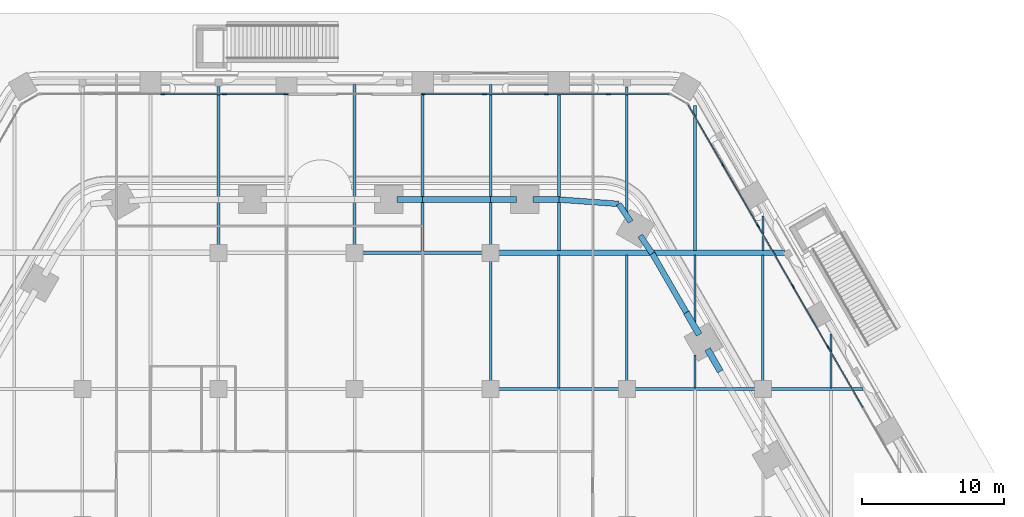
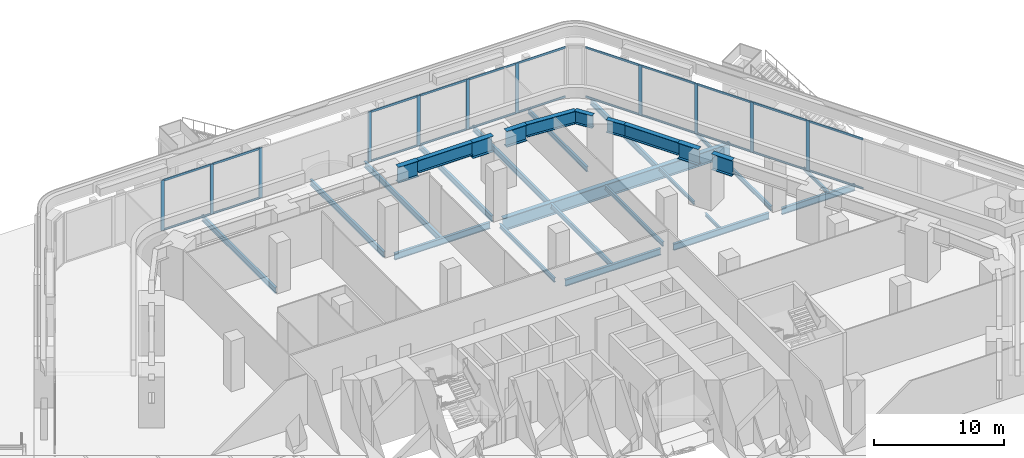
# One storey, part 9 of 34: 33 members, 30 beams, 3 elements without a shape of their own.
"""IFC4 building model written with IfcOpenShell, lengths in metres."""

from ifc_helpers import new_model, si_unit, direction, frame, origin, origin_2d, place, context, subcontext, project, spatial, rectangle, i_section, extrude, material, material_profile, profile_set, type_object, element, aggregate, save


model = new_model("IFC4")

# Units and contexts
model_context = context("Model", 3, precision=1e-05, world=origin(), true_north=direction((0.0, 1.0)))
body_context = subcontext(model_context, "Body", "Model", "MODEL_VIEW")
ifc_project = project(units=[si_unit("LENGTHUNIT", "METRE"), si_unit("AREAUNIT", "SQUARE_METRE"), si_unit("VOLUMEUNIT", "CUBIC_METRE"), si_unit("PLANEANGLEUNIT", "RADIAN"), si_unit("MASSUNIT", "GRAM", prefix="KILO")], contexts=[model_context])

# Site, building, storey
site_placement = place(None, origin())
site = spatial("IfcSite", under=ifc_project, at=site_placement, CompositionType="ELEMENT")
building_placement = place(site_placement, origin())
building = spatial("IfcBuilding", under=site, at=building_placement, Name="Kolab Exchange Tower", CompositionType="ELEMENT")
storey_placement = place(building_placement, frame((0.0, 0.0, 12.39990234375)))
storey = spatial("IfcBuildingStorey", under=building, at=storey_placement, Name="L02", CompositionType="ELEMENT", Elevation=12.39990234375)

# Beams
ifc_material_1 = material(Name="Steel S355", Category="steel")
ifc_material_profile_1 = material_profile(ifc_material_1, i_section(OverallWidth=0.1650390625, OverallDepth=0.31005859375, WebThickness=0.005859375, FlangeThickness=0.009765625, at=origin_2d()), Name="W310X39")
ifc_profile_set_1 = profile_set([ifc_material_profile_1], Name="Steel S355")
beam_type_1 = type_object("IfcBeamType", Name="FLOOR BEAM W310X39", PredefinedType="BEAM", material=ifc_profile_set_1)
beam_1_placement = place(storey_placement, frame((24.0, 19.27392578125, -0.454833984375), z_axis=(0.0, 1.0, 0.0), x_axis=(-1.0, 0.0, 0.0)))
element("IfcBeam", 1, at=beam_1_placement, inside=storey, type_object=beam_type_1, Name="beam/L02/fr/101", PredefinedType="BEAM", context=body_context, shape_type="SweptSolid", body=[
    extrude(i_section(OverallWidth=0.1650390625, OverallDepth=0.31005859375, WebThickness=0.005859375, FlangeThickness=0.009765625, at=origin_2d()), origin(), (0.0, 0.0, 1.0), 2.3076171875),
])
beam_2_placement = place(storey_placement, frame((24.0, 23.284912109375, -0.454833984375), z_axis=(0.0, 1.0, 0.0), x_axis=(-1.0, 0.0, 0.0)))
element("IfcBeam", 2, at=beam_2_placement, inside=storey, type_object=beam_type_1, Name="beam/L02/fr/102", PredefinedType="BEAM", context=body_context, shape_type="SweptSolid", body=[
    extrude(i_section(OverallWidth=0.1650390625, OverallDepth=0.31005859375, WebThickness=0.005859375, FlangeThickness=0.009765625, at=origin_2d()), origin(), (0.0, 0.0, 1.0), 5.35498046875),
])
beam_3_placement = place(storey_placement, frame((28.800048828125, 28.9599609375, -0.454833984375), z_axis=(0.0, 1.0, 0.0), x_axis=(-1.0, 0.0, 0.0)))
element("IfcBeam", 3, at=beam_3_placement, inside=storey, type_object=beam_type_1, Name="beam/L02/fr/112", PredefinedType="BEAM", context=body_context, shape_type="SweptSolid", body=[
    extrude(i_section(OverallWidth=0.1650390625, OverallDepth=0.31005859375, WebThickness=0.005859375, FlangeThickness=0.009765625, at=origin_2d()), origin(), (0.0, 0.0, 1.0), 2.435546875),
])
beam_4_placement = place(storey_placement, frame((33.60009765625, 19.27392578125, -0.454833984375), z_axis=(0.0, 1.0, 0.0), x_axis=(-1.0, 0.0, 0.0)))
element("IfcBeam", 4, at=beam_4_placement, inside=storey, type_object=beam_type_1, Name="beam/L02/fr/119", PredefinedType="BEAM", context=body_context, shape_type="SweptSolid", body=[
    extrude(i_section(OverallWidth=0.1650390625, OverallDepth=0.31005859375, WebThickness=0.005859375, FlangeThickness=0.009765625, at=origin_2d()), origin(), (0.0, 0.0, 1.0), 3.8076171875),
])
ifc_material_profile_2 = material_profile(ifc_material_1, i_section(OverallWidth=0.177978515625, OverallDepth=0.406982421875, WebThickness=0.0078125, FlangeThickness=0.0126953125, at=origin_2d()), Name="W410X60")
ifc_profile_set_2 = profile_set([ifc_material_profile_2], Name="Steel S355")
beam_type_2 = type_object("IfcBeamType", Name="FLOOR BEAM W410X60", PredefinedType="BEAM", material=ifc_profile_set_2)
beam_5_placement = place(storey_placement, frame((9.60009765625, 19.760009765625, -0.50341796875), z_axis=(0.0, 1.0, 0.0), x_axis=(-1.0, 0.0, 0.0)))
element("IfcBeam", 5, at=beam_5_placement, inside=storey, type_object=beam_type_2, Name="beam/L02/fr/079", PredefinedType="BEAM", context=body_context, shape_type="SweptSolid", body=[
    extrude(i_section(OverallWidth=0.177978515625, OverallDepth=0.406982421875, WebThickness=0.0078125, FlangeThickness=0.0126953125, at=origin_2d()), origin(), (0.0, 0.0, 1.0), 8.47998046875),
])
for number, where, z_axis, x_axis, name in (
    (6, (19.199951171875, 19.760009765625, -0.50341796875), (0.0, 1.0, 0.0), (-1.0, 0.0, 0.0), "beam/L02/fr/093"),
    (7, (28.800048828125, 19.760009765625, -0.50341796875), (0.0, 1.0, 0.0), (-1.0, 0.0, 0.0), "beam/L02/fr/111"),
):
    element("IfcBeam", number, at=place(storey_placement, frame(where, z_axis=z_axis, x_axis=x_axis)), inside=storey, type_object=beam_type_2, Name=name, PredefinedType="BEAM", context=body_context, shape_type="SweptSolid", body=[
        extrude(i_section(OverallWidth=0.177978515625, OverallDepth=0.406982421875, WebThickness=0.0078125, FlangeThickness=0.0126953125, at=origin_2d()), origin(), (0.0, 0.0, 1.0), 8.8798828125),
    ])
ifc_material_profile_3 = material_profile(ifc_material_1, i_section(OverallWidth=0.18994140625, OverallDepth=0.45703125, WebThickness=0.009033203125, FlangeThickness=0.014404296875, at=origin_2d()), Name="W460X74")
ifc_profile_set_3 = profile_set([ifc_material_profile_3], Name="Steel S355")
beam_type_3 = type_object("IfcBeamType", Name="FLOOR BEAM W460X74", PredefinedType="BEAM", material=ifc_profile_set_3)
beam_6_placement = place(storey_placement, frame((14.39990234375, 19.27392578125, -0.5283203125), z_axis=(0.0, 1.0, 0.0), x_axis=(-1.0, 0.0, 0.0)))
element("IfcBeam", 8, at=beam_6_placement, inside=storey, type_object=beam_type_3, Name="beam/L02/fr/085", PredefinedType="BEAM", context=body_context, shape_type="SweptSolid", body=[
    extrude(i_section(OverallWidth=0.18994140625, OverallDepth=0.45703125, WebThickness=0.009033203125, FlangeThickness=0.014404296875, at=origin_2d()), origin(), (0.0, 0.0, 1.0), 9.365966796875),
])
beam_7_placement = place(storey_placement, frame((19.199951171875, 31.408447265625, -0.5283203125), z_axis=(0.0, 1.0, 0.0), x_axis=(-1.0, 0.0, 0.0)))
element("IfcBeam", 9, at=beam_7_placement, inside=storey, type_object=beam_type_3, Name="beam/L02/fr/094", PredefinedType="BEAM", context=body_context, shape_type="SweptSolid", body=[
    extrude(i_section(OverallWidth=0.18994140625, OverallDepth=0.45703125, WebThickness=0.009033203125, FlangeThickness=0.014404296875, at=origin_2d()), origin(), (0.0, 0.0, 1.0), 9.08984375),
])
ifc_material_profile_4 = material_profile(ifc_material_1, i_section(OverallWidth=0.208984375, OverallDepth=0.532958984375, WebThickness=0.01025390625, FlangeThickness=0.015625, at=origin_2d()), Name="W530X92")
ifc_profile_set_4 = profile_set([ifc_material_profile_4], Name="Steel S355")
beam_type_4 = type_object("IfcBeamType", Name="FLOOR BEAM W530X92", PredefinedType="BEAM", material=ifc_profile_set_4)
for number, where, z_axis, x_axis, name in (
    (10, (-9.60009765625, 29.360107421875, -0.56640625), (0.0, 1.0, 0.0), (-1.0, 0.0, 0.0), "beam/L02/fr/052"),
    (11, (0.0, 29.360107421875, -0.56640625), (0.0, 1.0, 0.0), (-1.0, 0.0, 0.0), "beam/L02/fr/066"),
):
    element("IfcBeam", number, at=place(storey_placement, frame(where, z_axis=z_axis, x_axis=x_axis)), inside=storey, type_object=beam_type_4, Name=name, PredefinedType="BEAM", context=body_context, shape_type="SweptSolid", body=[
        extrude(i_section(OverallWidth=0.208984375, OverallDepth=0.532958984375, WebThickness=0.01025390625, FlangeThickness=0.015625, at=origin_2d()), origin(), (0.0, 0.0, 1.0), 11.299072265625),
    ])
beam_8_placement = place(storey_placement, frame((4.800048828125, 28.8740234375, -0.56640625), z_axis=(0.0, 1.0, 0.0), x_axis=(-1.0, 0.0, 0.0)))
element("IfcBeam", 12, at=beam_8_placement, inside=storey, type_object=beam_type_4, Name="beam/L02/fr/073", PredefinedType="BEAM", context=body_context, shape_type="SweptSolid", body=[
    extrude(i_section(OverallWidth=0.208984375, OverallDepth=0.532958984375, WebThickness=0.01025390625, FlangeThickness=0.015625, at=origin_2d()), origin(), (0.0, 0.0, 1.0), 11.78515625),
])
beam_9_placement = place(storey_placement, frame((9.60009765625, 29.360107421875, -0.56640625), z_axis=(0.0, 1.0, 0.0), x_axis=(-1.0, 0.0, 0.0)))
element("IfcBeam", 13, at=beam_9_placement, inside=storey, type_object=beam_type_4, Name="beam/L02/fr/080", PredefinedType="BEAM", context=body_context, shape_type="SweptSolid", body=[
    extrude(i_section(OverallWidth=0.208984375, OverallDepth=0.532958984375, WebThickness=0.01025390625, FlangeThickness=0.015625, at=origin_2d()), origin(), (0.0, 0.0, 1.0), 11.299072265625),
])
beam_10_placement = place(storey_placement, frame((14.39990234375, 28.9599609375, -0.56640625), z_axis=(0.0, 1.0, 0.0), x_axis=(-1.0, 0.0, 0.0)))
element("IfcBeam", 14, at=beam_10_placement, inside=storey, type_object=beam_type_4, Name="beam/L02/fr/086", PredefinedType="BEAM", context=body_context, shape_type="SweptSolid", body=[
    extrude(i_section(OverallWidth=0.208984375, OverallDepth=0.532958984375, WebThickness=0.01025390625, FlangeThickness=0.015625, at=origin_2d()), origin(), (0.0, 0.0, 1.0), 11.69921875),
])
beam_11_placement = place(storey_placement, frame((24.0, 28.9599609375, -0.56640625), z_axis=(0.0, 1.0, 0.0), x_axis=(-1.0, 0.0, 0.0)))
element("IfcBeam", 15, at=beam_11_placement, inside=storey, type_object=beam_type_4, Name="beam/L02/fr/103", PredefinedType="BEAM", context=body_context, shape_type="SweptSolid", body=[
    extrude(i_section(OverallWidth=0.208984375, OverallDepth=0.532958984375, WebThickness=0.01025390625, FlangeThickness=0.015625, at=origin_2d()), origin(), (0.0, 0.0, 1.0), 10.2451171875),
])
ifc_material_profile_5 = material_profile(ifc_material_1, i_section(OverallWidth=0.39990234375, OverallDepth=1.199951171875, WebThickness=0.02490234375, FlangeThickness=0.0400390625, at=origin_2d()), Name="PG1200X400")
ifc_profile_set_5 = profile_set([ifc_material_profile_5], Name="Steel S355")
beam_type_5 = type_object("IfcBeamType", Name="FLOOR GIRDER PG1200X400", PredefinedType="BEAM", material=ifc_profile_set_5)
beam_12_placement = place(storey_placement, frame((10.159912109375, 28.800048828125, -0.89990234375), z_axis=(1.0, 0.0, 0.0), x_axis=(0.0, 1.0, 0.0)))
element("IfcBeam", 16, at=beam_12_placement, inside=storey, type_object=beam_type_5, Name="beam/L02/gd/030", PredefinedType="BEAM", context=body_context, shape_type="SweptSolid", body=[
    extrude(i_section(OverallWidth=0.39990234375, OverallDepth=1.199951171875, WebThickness=0.02490234375, FlangeThickness=0.0400390625, at=origin_2d()), origin(), (0.0, 0.0, 1.0), 20.1552734375),
])
ifc_material_profile_6 = material_profile(ifc_material_1, i_section(OverallWidth=0.22802734375, OverallDepth=0.60791015625, WebThickness=0.01123046875, FlangeThickness=0.017333984375, at=origin_2d()), Name="W610X113")
ifc_profile_set_6 = profile_set([ifc_material_profile_6], Name="Steel S355")
beam_type_6 = type_object("IfcBeamType", Name="FLOOR GIRDER W610X113", PredefinedType="BEAM", material=ifc_profile_set_6)
for number, where, z_axis, x_axis, name in (
    (17, (0.56005859375, 28.800048828125, -0.60400390625), (1.0, 0.0, 0.0), (0.0, 1.0, 0.0), "beam/L02/gd/026"),
    (18, (10.159912109375, 19.199951171875, -0.60400390625), (1.0, 0.0, 0.0), (0.0, 1.0, 0.0), "beam/L02/gd/029"),
    (19, (19.760009765625, 19.199951171875, -0.60400390625), (1.0, 0.0, 0.0), (0.0, 1.0, 0.0), "beam/L02/gd/037"),
):
    element("IfcBeam", number, at=place(storey_placement, frame(where, z_axis=z_axis, x_axis=x_axis)), inside=storey, type_object=beam_type_6, Name=name, PredefinedType="BEAM", context=body_context, shape_type="SweptSolid", body=[
        extrude(i_section(OverallWidth=0.22802734375, OverallDepth=0.60791015625, WebThickness=0.01123046875, FlangeThickness=0.017333984375, at=origin_2d()), origin(), (0.0, 0.0, 1.0), 8.47998046875),
    ])
beam_13_placement = place(storey_placement, frame((29.360107421875, 19.199951171875, -0.60400390625), z_axis=(1.0, 0.0, 0.0), x_axis=(0.0, 1.0, 0.0)))
element("IfcBeam", 20, at=beam_13_placement, inside=storey, type_object=beam_type_6, Name="beam/L02/gd/042", PredefinedType="BEAM", context=body_context, shape_type="SweptSolid", body=[
    extrude(i_section(OverallWidth=0.22802734375, OverallDepth=0.60791015625, WebThickness=0.01123046875, FlangeThickness=0.017333984375, at=origin_2d()), origin(), (0.0, 0.0, 1.0), 6.497802734375),
])

# Curtain wall, members
ifc_material_2 = material(Name="Aluminium EN AW-6063 T6", Category="aluminium")
curtain_wall_type = type_object("IfcCurtainWallType", Name="PODIUM STRUCTURAL GLAZING CURTAIN WALL", PredefinedType="NOTDEFINED", material=ifc_material_2)
curtain_wall_1_placement = place(storey_placement, origin())
curtain_wall_1 = element("IfcCurtainWall", 21, at=curtain_wall_1_placement, inside=storey, type_object=curtain_wall_type, Name="cw/L02/F1-1", PredefinedType="NOTDEFINED")
ifc_material_profile_7 = material_profile(ifc_material_2, rectangle(XDim=0.080078125, YDim=0.300048828125, at=origin_2d()), Name="RECT 80X300")
ifc_profile_set_7 = profile_set([ifc_material_profile_7], Name="Aluminium EN AW-6063 T6")
member_type_1 = type_object("IfcMemberType", Name="PODIUM STRUCTURAL GLAZING MULLION 80 X 300", PredefinedType="MULLION", material=ifc_profile_set_7)
member_1_placement = place(storey_placement, frame((-13.533935546875, 39.9892578125, 0.0), z_axis=(0.0, 0.0, 1.0), x_axis=(0.0, 1.0, 0.0)))
member_1 = element("IfcMember", 22, at=member_1_placement, type_object=member_type_1, Name="CW5 mullion 3", PredefinedType="MULLION", context=body_context, shape_type="SweptSolid", body=[
    extrude(rectangle(XDim=0.080078125, YDim=0.300048828125, at=origin_2d()), origin(), (0.0, 0.0, 1.0), 4.7001953125),
])
member_2_placement = place(storey_placement, frame((-9.1669921875, 39.9892578125, 0.0), z_axis=(0.0, 0.0, 1.0), x_axis=(0.0, 1.0, 0.0)))
member_2 = element("IfcMember", 23, at=member_2_placement, type_object=member_type_1, Name="CW5 mullion 4", PredefinedType="MULLION", context=body_context, shape_type="SweptSolid", body=[
    extrude(rectangle(XDim=0.080078125, YDim=0.300048828125, at=origin_2d()), origin(), (0.0, 0.0, 1.0), 4.7001953125),
])
member_3_placement = place(storey_placement, frame((-4.840087890625, 39.9892578125, 0.0), z_axis=(0.0, 0.0, 1.0), x_axis=(0.0, 1.0, 0.0)))
member_3 = element("IfcMember", 24, at=member_3_placement, type_object=member_type_1, Name="CW5 mullion 5", PredefinedType="MULLION", context=body_context, shape_type="SweptSolid", body=[
    extrude(rectangle(XDim=0.080078125, YDim=0.300048828125, at=origin_2d()), origin(), (0.0, 0.0, 1.0), 4.7001953125),
])

curtain_wall_2_placement = place(storey_placement, origin())
curtain_wall_2 = element("IfcCurtainWall", 25, at=curtain_wall_2_placement, inside=storey, type_object=curtain_wall_type, Name="cw/L02/F1-2", PredefinedType="NOTDEFINED")
member_4_placement = place(storey_placement, frame((4.840087890625, 39.9892578125, 0.0), z_axis=(0.0, 0.0, 1.0), x_axis=(0.0, 1.0, 0.0)))
member_4 = element("IfcMember", 26, at=member_4_placement, type_object=member_type_1, Name="CW5 mullion 1", PredefinedType="MULLION", context=body_context, shape_type="SweptSolid", body=[
    extrude(rectangle(XDim=0.080078125, YDim=0.300048828125, at=origin_2d()), origin(), (0.0, 0.0, 1.0), 4.7001953125),
])
member_5_placement = place(storey_placement, frame((9.1669921875, 39.9892578125, 0.0), z_axis=(0.0, 0.0, 1.0), x_axis=(0.0, 1.0, 0.0)))
member_5 = element("IfcMember", 27, at=member_5_placement, type_object=member_type_1, Name="CW5 mullion 2", PredefinedType="MULLION", context=body_context, shape_type="SweptSolid", body=[
    extrude(rectangle(XDim=0.080078125, YDim=0.300048828125, at=origin_2d()), origin(), (0.0, 0.0, 1.0), 4.7001953125),
])
member_6_placement = place(storey_placement, frame((13.533935546875, 39.9892578125, 0.0), z_axis=(0.0, 0.0, 1.0), x_axis=(0.0, 1.0, 0.0)))
member_6 = element("IfcMember", 28, at=member_6_placement, type_object=member_type_1, Name="CW5 mullion 3", PredefinedType="MULLION", context=body_context, shape_type="SweptSolid", body=[
    extrude(rectangle(XDim=0.080078125, YDim=0.300048828125, at=origin_2d()), origin(), (0.0, 0.0, 1.0), 4.7001953125),
])
member_7_placement = place(storey_placement, frame((17.90087890625, 39.9892578125, 0.0), z_axis=(0.0, 0.0, 1.0), x_axis=(0.0, 1.0, 0.0)))
member_7 = element("IfcMember", 29, at=member_7_placement, type_object=member_type_1, Name="CW5 mullion 4", PredefinedType="MULLION", context=body_context, shape_type="SweptSolid", body=[
    extrude(rectangle(XDim=0.080078125, YDim=0.300048828125, at=origin_2d()), origin(), (0.0, 0.0, 1.0), 4.7001953125),
])

curtain_wall_3_placement = place(storey_placement, origin())
curtain_wall_3 = element("IfcCurtainWall", 30, at=curtain_wall_3_placement, inside=storey, type_object=curtain_wall_type, Name="cw/L02/F2-1", PredefinedType="NOTDEFINED")
member_8_placement = place(storey_placement, frame((25.971923828125, 34.99365234375, 0.0), z_axis=(0.0, 0.0, 1.0), x_axis=(0.866025403514, 0.500000000469, 0.0)))
member_8 = element("IfcMember", 31, at=member_8_placement, type_object=member_type_1, Name="CW5 mullion 2", PredefinedType="MULLION", context=body_context, shape_type="SweptSolid", body=[
    extrude(rectangle(XDim=0.080078125, YDim=0.300048828125, at=origin_2d()), origin(), (0.0, 0.0, 1.0), 4.7001953125),
])
member_9_placement = place(storey_placement, frame((28.446044921875, 30.708251953125, 0.0), z_axis=(0.0, 0.0, 1.0), x_axis=(0.866025403514, 0.500000000469, 0.0)))
member_9 = element("IfcMember", 32, at=member_9_placement, type_object=member_type_1, Name="CW5 mullion 3", PredefinedType="MULLION", context=body_context, shape_type="SweptSolid", body=[
    extrude(rectangle(XDim=0.080078125, YDim=0.300048828125, at=origin_2d()), origin(), (0.0, 0.0, 1.0), 4.7001953125),
])
member_10_placement = place(storey_placement, frame((30.92041015625, 26.4228515625, 0.0), z_axis=(0.0, 0.0, 1.0), x_axis=(0.866025403514, 0.500000000469, 0.0)))
member_10 = element("IfcMember", 33, at=member_10_placement, type_object=member_type_1, Name="CW5 mullion 4", PredefinedType="MULLION", context=body_context, shape_type="SweptSolid", body=[
    extrude(rectangle(XDim=0.080078125, YDim=0.300048828125, at=origin_2d()), origin(), (0.0, 0.0, 1.0), 4.7001953125),
])
member_11_placement = place(storey_placement, frame((33.39453125, 22.137451171875, 0.0), z_axis=(0.0, 0.0, 1.0), x_axis=(0.866025403514, 0.500000000469, 0.0)))
member_11 = element("IfcMember", 34, at=member_11_placement, type_object=member_type_1, Name="CW5 mullion 5", PredefinedType="MULLION", context=body_context, shape_type="SweptSolid", body=[
    extrude(rectangle(XDim=0.080078125, YDim=0.300048828125, at=origin_2d()), origin(), (0.0, 0.0, 1.0), 4.7001953125),
])

# Member
ifc_material_profile_8 = material_profile(ifc_material_2, rectangle(XDim=0.080078125, YDim=0.179931640625, at=origin_2d()), Name="RECT 80X180")
ifc_profile_set_8 = profile_set([ifc_material_profile_8], Name="Aluminium EN AW-6063 T6")
member_type_2 = type_object("IfcMemberType", Name="PODIUM STRUCTURAL GLAZING TRANSOM 80 X 180", PredefinedType="USERDEFINED", material=ifc_profile_set_8)
member_12_placement = place(storey_placement, frame((-13.493896484375, 39.9892578125, 0.0400390625), z_axis=(1.0, 0.0, 0.0), x_axis=(0.0, 1.0, 0.0)))
member_12 = element("IfcMember", 35, at=member_12_placement, type_object=member_type_2, Name="CW5 transom 3.1", ObjectType="TRANSOM", PredefinedType="USERDEFINED", context=body_context, shape_type="SweptSolid", body=[
    extrude(rectangle(XDim=0.080078125, YDim=0.179931640625, at=origin_2d()), origin(), (0.0, 0.0, 1.0), 4.286865234375),
])

member_13_placement = place(storey_placement, frame((-13.493896484375, 39.9892578125, 4.66015625), z_axis=(1.0, 0.0, 0.0), x_axis=(0.0, 1.0, 0.0)))
member_13 = element("IfcMember", 36, at=member_13_placement, type_object=member_type_2, Name="CW5 transom 3.2", ObjectType="TRANSOM", PredefinedType="USERDEFINED", context=body_context, shape_type="SweptSolid", body=[
    extrude(rectangle(XDim=0.080078125, YDim=0.179931640625, at=origin_2d()), origin(), (0.0, 0.0, 1.0), 4.286865234375),
])

member_14_placement = place(storey_placement, frame((-9.126953125, 39.9892578125, 0.0400390625), z_axis=(1.0, 0.0, 0.0), x_axis=(0.0, 1.0, 0.0)))
member_14 = element("IfcMember", 37, at=member_14_placement, type_object=member_type_2, Name="CW5 transom 4.1", ObjectType="TRANSOM", PredefinedType="USERDEFINED", context=body_context, shape_type="SweptSolid", body=[
    extrude(rectangle(XDim=0.080078125, YDim=0.179931640625, at=origin_2d()), origin(), (0.0, 0.0, 1.0), 4.2470703125),
])

member_15_placement = place(storey_placement, frame((-9.126953125, 39.9892578125, 4.66015625), z_axis=(1.0, 0.0, 0.0), x_axis=(0.0, 1.0, 0.0)))
member_15 = element("IfcMember", 38, at=member_15_placement, type_object=member_type_2, Name="CW5 transom 4.2", ObjectType="TRANSOM", PredefinedType="USERDEFINED", context=body_context, shape_type="SweptSolid", body=[
    extrude(rectangle(XDim=0.080078125, YDim=0.179931640625, at=origin_2d()), origin(), (0.0, 0.0, 1.0), 4.2470703125),
])

aggregate(curtain_wall_1, [member_1, member_2, member_3, member_12, member_13, member_14, member_15])

member_16_placement = place(storey_placement, frame((4.8798828125, 39.9892578125, 0.0400390625), z_axis=(1.0, 0.0, 0.0), x_axis=(0.0, 1.0, 0.0)))
member_16 = element("IfcMember", 39, at=member_16_placement, type_object=member_type_2, Name="CW5 transom 1.1", ObjectType="TRANSOM", PredefinedType="USERDEFINED", context=body_context, shape_type="SweptSolid", body=[
    extrude(rectangle(XDim=0.080078125, YDim=0.179931640625, at=origin_2d()), origin(), (0.0, 0.0, 1.0), 4.2470703125),
])

member_17_placement = place(storey_placement, frame((4.8798828125, 39.9892578125, 4.66015625), z_axis=(1.0, 0.0, 0.0), x_axis=(0.0, 1.0, 0.0)))
member_17 = element("IfcMember", 40, at=member_17_placement, type_object=member_type_2, Name="CW5 transom 1.2", ObjectType="TRANSOM", PredefinedType="USERDEFINED", context=body_context, shape_type="SweptSolid", body=[
    extrude(rectangle(XDim=0.080078125, YDim=0.179931640625, at=origin_2d()), origin(), (0.0, 0.0, 1.0), 4.2470703125),
])

member_18_placement = place(storey_placement, frame((9.20703125, 39.9892578125, 0.0400390625), z_axis=(1.0, 0.0, 0.0), x_axis=(0.0, 1.0, 0.0)))
member_18 = element("IfcMember", 41, at=member_18_placement, type_object=member_type_2, Name="CW5 transom 2.1", ObjectType="TRANSOM", PredefinedType="USERDEFINED", context=body_context, shape_type="SweptSolid", body=[
    extrude(rectangle(XDim=0.080078125, YDim=0.179931640625, at=origin_2d()), origin(), (0.0, 0.0, 1.0), 4.286865234375),
])

member_19_placement = place(storey_placement, frame((9.20703125, 39.9892578125, 4.66015625), z_axis=(1.0, 0.0, 0.0), x_axis=(0.0, 1.0, 0.0)))
member_19 = element("IfcMember", 42, at=member_19_placement, type_object=member_type_2, Name="CW5 transom 2.2", ObjectType="TRANSOM", PredefinedType="USERDEFINED", context=body_context, shape_type="SweptSolid", body=[
    extrude(rectangle(XDim=0.080078125, YDim=0.179931640625, at=origin_2d()), origin(), (0.0, 0.0, 1.0), 4.286865234375),
])

member_20_placement = place(storey_placement, frame((13.573974609375, 39.9892578125, 0.0400390625), z_axis=(1.0, 0.0, 0.0), x_axis=(0.0, 1.0, 0.0)))
member_20 = element("IfcMember", 43, at=member_20_placement, type_object=member_type_2, Name="CW5 transom 3.1", ObjectType="TRANSOM", PredefinedType="USERDEFINED", context=body_context, shape_type="SweptSolid", body=[
    extrude(rectangle(XDim=0.080078125, YDim=0.179931640625, at=origin_2d()), origin(), (0.0, 0.0, 1.0), 4.286865234375),
])

member_21_placement = place(storey_placement, frame((13.573974609375, 39.9892578125, 4.66015625), z_axis=(1.0, 0.0, 0.0), x_axis=(0.0, 1.0, 0.0)))
member_21 = element("IfcMember", 44, at=member_21_placement, type_object=member_type_2, Name="CW5 transom 3.2", ObjectType="TRANSOM", PredefinedType="USERDEFINED", context=body_context, shape_type="SweptSolid", body=[
    extrude(rectangle(XDim=0.080078125, YDim=0.179931640625, at=origin_2d()), origin(), (0.0, 0.0, 1.0), 4.286865234375),
])

member_22_placement = place(storey_placement, frame((17.94091796875, 39.9892578125, 0.0400390625), z_axis=(1.0, 0.0, 0.0), x_axis=(0.0, 1.0, 0.0)))
member_22 = element("IfcMember", 45, at=member_22_placement, type_object=member_type_2, Name="CW5 transom 4.1", ObjectType="TRANSOM", PredefinedType="USERDEFINED", context=body_context, shape_type="SweptSolid", body=[
    extrude(rectangle(XDim=0.080078125, YDim=0.179931640625, at=origin_2d()), origin(), (0.0, 0.0, 1.0), 4.2470703125),
])

member_23_placement = place(storey_placement, frame((17.94091796875, 39.9892578125, 4.66015625), z_axis=(1.0, 0.0, 0.0), x_axis=(0.0, 1.0, 0.0)))
member_23 = element("IfcMember", 46, at=member_23_placement, type_object=member_type_2, Name="CW5 transom 4.2", ObjectType="TRANSOM", PredefinedType="USERDEFINED", context=body_context, shape_type="SweptSolid", body=[
    extrude(rectangle(XDim=0.080078125, YDim=0.179931640625, at=origin_2d()), origin(), (0.0, 0.0, 1.0), 4.2470703125),
])

aggregate(curtain_wall_2, [member_4, member_5, member_6, member_7, member_16, member_17, member_18, member_19, member_20, member_21, member_22, member_23])

member_24_placement = place(storey_placement, frame((23.53759765625, 39.2099609375, 0.0400390625), z_axis=(0.50000548301, -0.866022238144, 0.0), x_axis=(0.866022238144, 0.50000548301, 0.0)))
member_24 = element("IfcMember", 47, at=member_24_placement, type_object=member_type_2, Name="CW5 transom 1.1", ObjectType="TRANSOM", PredefinedType="USERDEFINED", context=body_context, shape_type="SweptSolid", body=[
    extrude(rectangle(XDim=0.080078125, YDim=0.179931640625, at=origin_2d()), origin(), (0.0, 0.0, 1.0), 4.82861328125),
])

member_25_placement = place(storey_placement, frame((23.53759765625, 39.2099609375, 4.66015625), z_axis=(0.50000548301, -0.866022238144, 0.0), x_axis=(0.866022238144, 0.50000548301, 0.0)))
member_25 = element("IfcMember", 48, at=member_25_placement, type_object=member_type_2, Name="CW5 transom 1.2", ObjectType="TRANSOM", PredefinedType="USERDEFINED", context=body_context, shape_type="SweptSolid", body=[
    extrude(rectangle(XDim=0.080078125, YDim=0.179931640625, at=origin_2d()), origin(), (0.0, 0.0, 1.0), 4.82861328125),
])

member_26_placement = place(storey_placement, frame((25.991943359375, 34.959228515625, 0.0400390625), z_axis=(0.499968438888, -0.866043624834, 0.0), x_axis=(0.866043624834, 0.499968438888, 0.0)))
member_26 = element("IfcMember", 49, at=member_26_placement, type_object=member_type_2, Name="CW5 transom 2.1", ObjectType="TRANSOM", PredefinedType="USERDEFINED", context=body_context, shape_type="SweptSolid", body=[
    extrude(rectangle(XDim=0.080078125, YDim=0.179931640625, at=origin_2d()), origin(), (0.0, 0.0, 1.0), 4.868408203125),
])

member_27_placement = place(storey_placement, frame((25.991943359375, 34.959228515625, 4.66015625), z_axis=(0.499968438888, -0.866043624834, 0.0), x_axis=(0.866043624834, 0.499968438888, 0.0)))
member_27 = element("IfcMember", 50, at=member_27_placement, type_object=member_type_2, Name="CW5 transom 2.2", ObjectType="TRANSOM", PredefinedType="USERDEFINED", context=body_context, shape_type="SweptSolid", body=[
    extrude(rectangle(XDim=0.080078125, YDim=0.179931640625, at=origin_2d()), origin(), (0.0, 0.0, 1.0), 4.868408203125),
])

member_28_placement = place(storey_placement, frame((28.466064453125, 30.673583984375, 0.0400390625), z_axis=(0.500027764349, -0.866009373437, 0.0), x_axis=(0.866009373437, 0.500027764349, 0.0)))
member_28 = element("IfcMember", 51, at=member_28_placement, type_object=member_type_2, Name="CW5 transom 3.1", ObjectType="TRANSOM", PredefinedType="USERDEFINED", context=body_context, shape_type="SweptSolid", body=[
    extrude(rectangle(XDim=0.080078125, YDim=0.179931640625, at=origin_2d()), origin(), (0.0, 0.0, 1.0), 4.868408203125),
])

member_29_placement = place(storey_placement, frame((28.466064453125, 30.673583984375, 4.66015625), z_axis=(0.500027764349, -0.866009373437, 0.0), x_axis=(0.866009373437, 0.500027764349, 0.0)))
member_29 = element("IfcMember", 52, at=member_29_placement, type_object=member_type_2, Name="CW5 transom 3.2", ObjectType="TRANSOM", PredefinedType="USERDEFINED", context=body_context, shape_type="SweptSolid", body=[
    extrude(rectangle(XDim=0.080078125, YDim=0.179931640625, at=origin_2d()), origin(), (0.0, 0.0, 1.0), 4.868408203125),
])

member_30_placement = place(storey_placement, frame((30.9404296875, 26.38818359375, 0.0400390625), z_axis=(0.499968438888, -0.866043624834, 0.0), x_axis=(0.866043624834, 0.499968438888, 0.0)))
member_30 = element("IfcMember", 53, at=member_30_placement, type_object=member_type_2, Name="CW5 transom 4.1", ObjectType="TRANSOM", PredefinedType="USERDEFINED", context=body_context, shape_type="SweptSolid", body=[
    extrude(rectangle(XDim=0.080078125, YDim=0.179931640625, at=origin_2d()), origin(), (0.0, 0.0, 1.0), 4.868408203125),
])

member_31_placement = place(storey_placement, frame((30.9404296875, 26.38818359375, 4.66015625), z_axis=(0.499968438888, -0.866043624834, 0.0), x_axis=(0.866043624834, 0.499968438888, 0.0)))
member_31 = element("IfcMember", 54, at=member_31_placement, type_object=member_type_2, Name="CW5 transom 4.2", ObjectType="TRANSOM", PredefinedType="USERDEFINED", context=body_context, shape_type="SweptSolid", body=[
    extrude(rectangle(XDim=0.080078125, YDim=0.179931640625, at=origin_2d()), origin(), (0.0, 0.0, 1.0), 4.868408203125),
])

member_32_placement = place(storey_placement, frame((33.41455078125, 22.102783203125, 0.0400390625), z_axis=(0.50000604952, -0.866021911064, 0.0), x_axis=(0.866021911064, 0.50000604952, 0.0)))
member_32 = element("IfcMember", 55, at=member_32_placement, type_object=member_type_2, Name="CW5 transom 5.1", ObjectType="TRANSOM", PredefinedType="USERDEFINED", context=body_context, shape_type="SweptSolid", body=[
    extrude(rectangle(XDim=0.080078125, YDim=0.179931640625, at=origin_2d()), origin(), (0.0, 0.0, 1.0), 4.86865234375),
])

member_33_placement = place(storey_placement, frame((33.41455078125, 22.102783203125, 4.66015625), z_axis=(0.50000604952, -0.866021911064, 0.0), x_axis=(0.866021911064, 0.50000604952, 0.0)))
member_33 = element("IfcMember", 56, at=member_33_placement, type_object=member_type_2, Name="CW5 transom 5.2", ObjectType="TRANSOM", PredefinedType="USERDEFINED", context=body_context, shape_type="SweptSolid", body=[
    extrude(rectangle(XDim=0.080078125, YDim=0.179931640625, at=origin_2d()), origin(), (0.0, 0.0, 1.0), 4.86865234375),
])

aggregate(curtain_wall_3, [member_8, member_9, member_10, member_11, member_24, member_25, member_26, member_27, member_28, member_29, member_30, member_31, member_32, member_33])

# Beams
ifc_material_profile_9 = material_profile(ifc_material_1, i_section(OverallWidth=0.39990234375, OverallDepth=1.199951171875, WebThickness=0.02490234375, FlangeThickness=0.0400390625, at=origin_2d()), Name="PG1200X400")
ifc_profile_set_9 = profile_set([ifc_material_profile_9], Name="Steel S355")
beam_type_7 = type_object("IfcBeamType", Name="TRANSFER GIRDER PG1200X400", PredefinedType="BEAM", material=ifc_profile_set_9)
for number, where, z_axis, x_axis, name in (
    (57, (19.474365234375, 30.98583984375, 4.150146484375), (-0.561701097546, 0.827340242594, 0.0), (-0.827340242594, -0.561701097546, 0.0), "beam/L02/tg/T-F2-01"),
    (58, (20.13720703125, 30.009765625, 4.150146484375), (0.561885102992, -0.827215286993, 0.0), (0.827215286993, 0.561885102992, 0.0), "beam/L02/tg/T-F2-02"),
):
    element("IfcBeam", number, at=place(storey_placement, frame(where, z_axis=z_axis, x_axis=x_axis)), inside=storey, type_object=beam_type_7, Name=name, PredefinedType="BEAM", context=body_context, shape_type="SweptSolid", body=[
        extrude(i_section(OverallWidth=0.39990234375, OverallDepth=1.199951171875, WebThickness=0.02490234375, FlangeThickness=0.0400390625, at=origin_2d()), origin(), (0.0, 0.0, 1.0), 1.524658203125),
    ])
beam_14_placement = place(storey_placement, frame((4.800048828125, 32.555419921875, 4.150146484375), z_axis=(1.0, 0.0, 0.0), x_axis=(0.0, 1.0, 0.0)))
element("IfcBeam", 59, at=beam_14_placement, inside=storey, type_object=beam_type_7, Name="beam/L02/tg/T-F1-06-F1-07", PredefinedType="BEAM", context=body_context, shape_type="SweptSolid", body=[
    extrude(i_section(OverallWidth=0.39990234375, OverallDepth=1.199951171875, WebThickness=0.02490234375, FlangeThickness=0.0400390625, at=origin_2d()), origin(), (0.0, 0.0, 1.0), 4.800048828125),
])
beam_15_placement = place(storey_placement, frame((14.39990234375, 32.555419921875, 4.150146484375), z_axis=(0.997342835926, -0.072850996061, 0.0), x_axis=(0.072850996061, 0.997342835926, 0.0)))
element("IfcBeam", 60, at=beam_15_placement, inside=storey, type_object=beam_type_7, Name="beam/L02/tg/T-F1-08-F2-01", PredefinedType="BEAM", context=body_context, shape_type="SweptSolid", body=[
    extrude(i_section(OverallWidth=0.39990234375, OverallDepth=1.199951171875, WebThickness=0.02490234375, FlangeThickness=0.0400390625, at=origin_2d()), origin(), (0.0, 0.0, 1.0), 4.229248046875),
])
beam_16_placement = place(storey_placement, frame((20.993896484375, 28.74853515625, 4.150146484375), z_axis=(0.499979284789, -0.866037363387, 0.0), x_axis=(0.866037363387, 0.499979284789, 0.0)))
element("IfcBeam", 61, at=beam_16_placement, inside=storey, type_object=beam_type_7, Name="beam/L02/tg/T-F2-02-F2-03", PredefinedType="BEAM", context=body_context, shape_type="SweptSolid", body=[
    extrude(i_section(OverallWidth=0.39990234375, OverallDepth=1.199951171875, WebThickness=0.02490234375, FlangeThickness=0.0400390625, at=origin_2d()), origin(), (0.0, 0.0, 1.0), 4.800048828125),
])
ifc_material_profile_10 = material_profile(ifc_material_1, i_section(OverallWidth=0.449951171875, OverallDepth=1.5, WebThickness=0.028076171875, FlangeThickness=0.044921875, at=origin_2d()), Name="PG1500X450")
ifc_profile_set_10 = profile_set([ifc_material_profile_10], Name="Steel S355")
beam_type_8 = type_object("IfcBeamType", Name="TRANSFER GIRDER PG1500X450", PredefinedType="BEAM", material=ifc_profile_set_10)
beam_17_placement = place(storey_placement, frame((2.989990234375, 32.555419921875, 4.0), z_axis=(1.0, 0.0, 0.0), x_axis=(0.0, 1.0, 0.0)))
element("IfcBeam", 62, at=beam_17_placement, inside=storey, type_object=beam_type_8, Name="beam/L02/tg/T-F1-06", PredefinedType="BEAM", context=body_context, shape_type="SweptSolid", body=[
    extrude(i_section(OverallWidth=0.449951171875, OverallDepth=1.5, WebThickness=0.028076171875, FlangeThickness=0.044921875, at=origin_2d()), origin(), (0.0, 0.0, 1.0), 1.81005859375),
])
for number, where, z_axis, x_axis, name in (
    (63, (11.409912109375, 32.555419921875, 4.0), (-1.0, 0.0, 0.0), (0.0, -1.0, 0.0), "beam/L02/tg/T-F1-07"),
    (64, (12.590087890625, 32.555419921875, 4.0), (1.0, 0.0, 0.0), (0.0, 1.0, 0.0), "beam/L02/tg/T-F1-08"),
):
    element("IfcBeam", number, at=place(storey_placement, frame(where, z_axis=z_axis, x_axis=x_axis)), inside=storey, type_object=beam_type_8, Name=name, PredefinedType="BEAM", context=body_context, shape_type="SweptSolid", body=[
        extrude(i_section(OverallWidth=0.449951171875, OverallDepth=1.5, WebThickness=0.028076171875, FlangeThickness=0.044921875, at=origin_2d()), origin(), (0.0, 0.0, 1.0), 1.809814453125),
    ])
for number, where, z_axis, x_axis, name in (
    (65, (24.298828125, 23.02392578125, 4.0), (-0.499983199978, 0.866035103064, 0.0), (-0.866035103064, -0.499983199978, 0.0), "beam/L02/tg/T-F2-03"),
    (66, (24.888916015625, 22.002197265625, 4.0), (0.499882030911, -0.866093502558, 0.0), (0.866093502558, 0.499882030911, 0.0), "beam/L02/tg/T-F2-04"),
):
    element("IfcBeam", number, at=place(storey_placement, frame(where, z_axis=z_axis, x_axis=x_axis)), inside=storey, type_object=beam_type_8, Name=name, PredefinedType="BEAM", context=body_context, shape_type="SweptSolid", body=[
        extrude(i_section(OverallWidth=0.449951171875, OverallDepth=1.5, WebThickness=0.028076171875, FlangeThickness=0.044921875, at=origin_2d()), origin(), (0.0, 0.0, 1.0), 1.81005859375),
    ])

save(model, "model.ifc")
